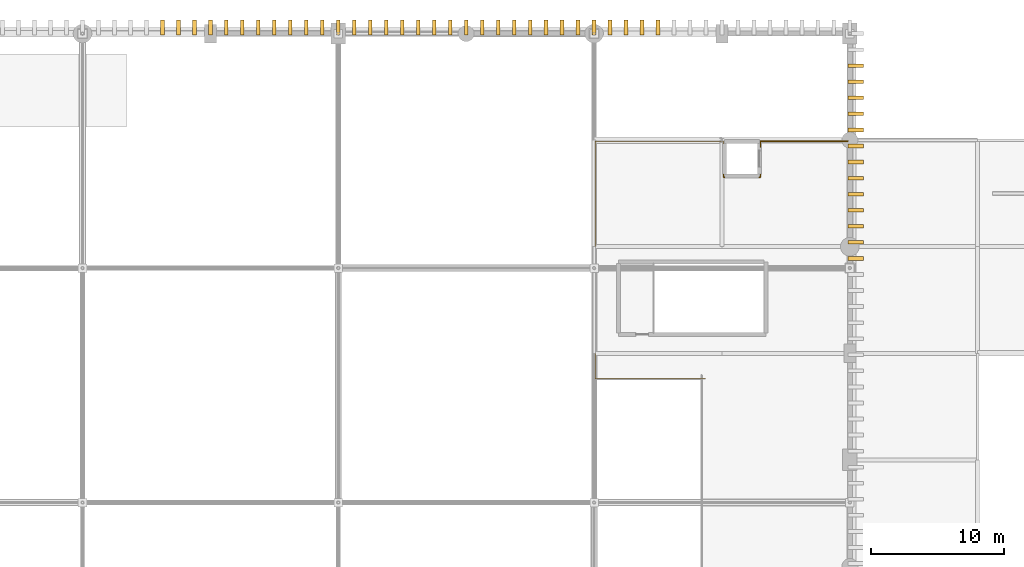
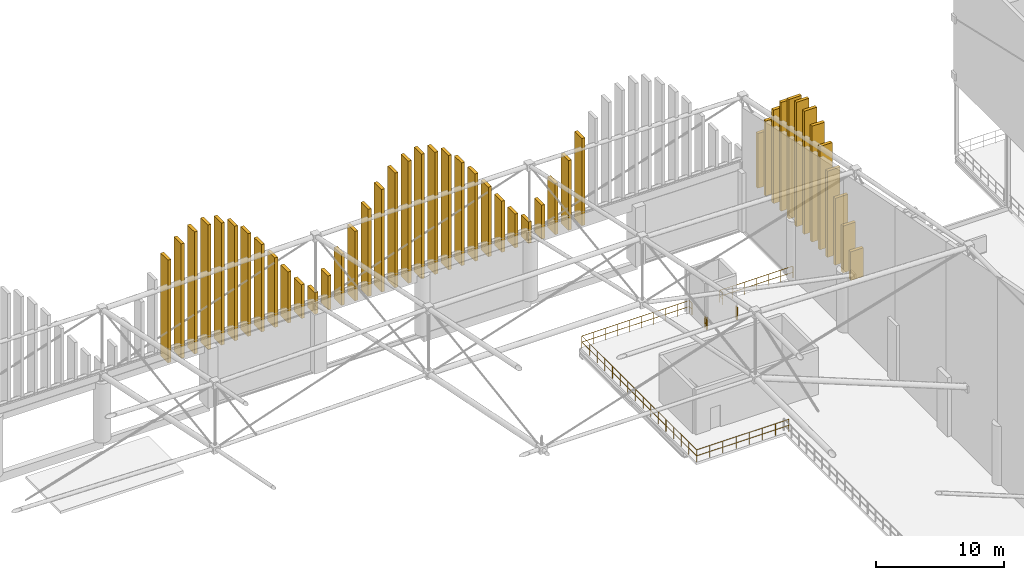
# One storey, part 192 of 193: 45 coverings, 4 railings.
"""IFC4 building model written with IfcOpenShell, lengths in metres."""

from ifc_helpers import new_model, si_unit, direction, frame, origin, origin_2d, place, context, subcontext, project, spatial, rectangle, circle, extrude, material, layer, layer_set, type_object, element, save


model = new_model("IFC4")

# Units and contexts
model_context = context("Model", 3, precision=1e-05, world=origin(), true_north=direction((0.0, 1.0)))
body_context = subcontext(model_context, "Body", "Model", "MODEL_VIEW")
ifc_project = project(units=[si_unit("LENGTHUNIT", "METRE"), si_unit("AREAUNIT", "SQUARE_METRE"), si_unit("VOLUMEUNIT", "CUBIC_METRE"), si_unit("PLANEANGLEUNIT", "RADIAN"), si_unit("MASSUNIT", "GRAM", prefix="KILO")], contexts=[model_context])

# Site, building, storey
site_placement = place(None, origin())
site = spatial("IfcSite", under=ifc_project, at=site_placement, CompositionType="ELEMENT")
building_placement = place(site_placement, origin())
building = spatial("IfcBuilding", under=site, at=building_placement, Name="Danafjord Basin Convention Centre", CompositionType="ELEMENT")
storey_placement = place(building_placement, frame((0.0, 0.0, 11.39990234375)))
storey = spatial("IfcBuildingStorey", under=building, at=storey_placement, Name="L02", CompositionType="ELEMENT", Elevation=11.39990234375)

# Coverings
ifc_material_1 = material(Name="Architectural white precast concrete C45/55", Category="concrete")
ifc_layer = layer(ifc_material_1, 0.280029296875)
ifc_layer_set = layer_set([ifc_layer], Name="Architectural white precast concrete C45/55")
covering_type = type_object("IfcCoveringType", Name="COV-FIN-RIDGE", PredefinedType="CLADDING", material=ifc_layer_set)
covering_1_placement = place(storey_placement, frame((63.60009765625, 144.449951171875, 5.14990234375), z_axis=(0.0, 0.0, 1.0), x_axis=(0.0, 1.0, 0.0)))
element("IfcCovering", 1, at=covering_1_placement, inside=storey, type_object=covering_type, Name="V1 N white vertical mountain-ridge fin 151", PredefinedType="CLADDING", context=body_context, shape_type="SweptSolid", body=[
    extrude(rectangle(XDim=1.139892578125, YDim=0.280029296875, at=origin_2d()), origin(), (0.0, 0.0, 1.0), 9.759521484375),
])
covering_2_placement = place(storey_placement, frame((64.800048828125, 144.449951171875, 5.150146484375), z_axis=(0.0, 0.0, 1.0), x_axis=(0.0, 1.0, 0.0)))
element("IfcCovering", 2, at=covering_2_placement, inside=storey, type_object=covering_type, Name="V1 N white vertical mountain-ridge fin 152", PredefinedType="CLADDING", context=body_context, shape_type="SweptSolid", body=[
    extrude(rectangle(XDim=1.139892578125, YDim=0.280029296875, at=origin_2d()), origin(), (0.0, 0.0, 1.0), 10.8916015625),
])
covering_3_placement = place(storey_placement, frame((66.0, 144.449951171875, 5.14990234375), z_axis=(0.0, 0.0, 1.0), x_axis=(0.0, 1.0, 0.0)))
element("IfcCovering", 3, at=covering_3_placement, inside=storey, type_object=covering_type, Name="V1 N white vertical mountain-ridge fin 153", PredefinedType="CLADDING", context=body_context, shape_type="SweptSolid", body=[
    extrude(rectangle(XDim=1.139892578125, YDim=0.280029296875, at=origin_2d()), origin(), (0.0, 0.0, 1.0), 11.60595703125),
])
covering_4_placement = place(storey_placement, frame((67.199951171875, 144.449951171875, 5.150146484375), z_axis=(0.0, 0.0, 1.0), x_axis=(0.0, 1.0, 0.0)))
element("IfcCovering", 4, at=covering_4_placement, inside=storey, type_object=covering_type, Name="V1 N white vertical mountain-ridge fin 154", PredefinedType="CLADDING", context=body_context, shape_type="SweptSolid", body=[
    extrude(rectangle(XDim=1.139892578125, YDim=0.280029296875, at=origin_2d()), origin(), (0.0, 0.0, 1.0), 11.85009765625),
])
covering_5_placement = place(storey_placement, frame((68.39990234375, 144.449951171875, 5.14990234375), z_axis=(0.0, 0.0, 1.0), x_axis=(0.0, 1.0, 0.0)))
element("IfcCovering", 5, at=covering_5_placement, inside=storey, type_object=covering_type, Name="V1 N white vertical mountain-ridge fin 155", PredefinedType="CLADDING", context=body_context, shape_type="SweptSolid", body=[
    extrude(rectangle(XDim=1.139892578125, YDim=0.280029296875, at=origin_2d()), origin(), (0.0, 0.0, 1.0), 11.60595703125),
])
covering_6_placement = place(storey_placement, frame((69.60009765625, 144.449951171875, 5.150146484375), z_axis=(0.0, 0.0, 1.0), x_axis=(0.0, 1.0, 0.0)))
element("IfcCovering", 6, at=covering_6_placement, inside=storey, type_object=covering_type, Name="V1 N white vertical mountain-ridge fin 156", PredefinedType="CLADDING", context=body_context, shape_type="SweptSolid", body=[
    extrude(rectangle(XDim=1.139892578125, YDim=0.280029296875, at=origin_2d()), origin(), (0.0, 0.0, 1.0), 10.8916015625),
])
covering_7_placement = place(storey_placement, frame((70.800048828125, 144.449951171875, 5.14990234375), z_axis=(0.0, 0.0, 1.0), x_axis=(0.0, 1.0, 0.0)))
element("IfcCovering", 7, at=covering_7_placement, inside=storey, type_object=covering_type, Name="V1 N white vertical mountain-ridge fin 157", PredefinedType="CLADDING", context=body_context, shape_type="SweptSolid", body=[
    extrude(rectangle(XDim=1.139892578125, YDim=0.280029296875, at=origin_2d()), origin(), (0.0, 0.0, 1.0), 9.759521484375),
])
covering_8_placement = place(storey_placement, frame((72.0, 144.449951171875, 5.150146484375), z_axis=(0.0, 0.0, 1.0), x_axis=(0.0, 1.0, 0.0)))
element("IfcCovering", 8, at=covering_8_placement, inside=storey, type_object=covering_type, Name="V1 N white vertical mountain-ridge fin 158", PredefinedType="CLADDING", context=body_context, shape_type="SweptSolid", body=[
    extrude(rectangle(XDim=1.139892578125, YDim=0.280029296875, at=origin_2d()), origin(), (0.0, 0.0, 1.0), 8.29541015625),
])
covering_9_placement = place(storey_placement, frame((73.199951171875, 144.449951171875, 5.14990234375), z_axis=(0.0, 0.0, 1.0), x_axis=(0.0, 1.0, 0.0)))
element("IfcCovering", 9, at=covering_9_placement, inside=storey, type_object=covering_type, Name="V1 N white vertical mountain-ridge fin 159", PredefinedType="CLADDING", context=body_context, shape_type="SweptSolid", body=[
    extrude(rectangle(XDim=1.139892578125, YDim=0.280029296875, at=origin_2d()), origin(), (0.0, 0.0, 1.0), 6.614501953125),
])
covering_10_placement = place(storey_placement, frame((74.39990234375, 144.449951171875, 5.150146484375), z_axis=(0.0, 0.0, 1.0), x_axis=(0.0, 1.0, 0.0)))
element("IfcCovering", 10, at=covering_10_placement, inside=storey, type_object=covering_type, Name="V1 N white vertical mountain-ridge fin 160", PredefinedType="CLADDING", context=body_context, shape_type="SweptSolid", body=[
    extrude(rectangle(XDim=1.139892578125, YDim=0.280029296875, at=origin_2d()), origin(), (0.0, 0.0, 1.0), 4.861328125),
])
covering_11_placement = place(storey_placement, frame((75.60009765625, 144.449951171875, 5.14990234375), z_axis=(0.0, 0.0, 1.0), x_axis=(0.0, 1.0, 0.0)))
element("IfcCovering", 11, at=covering_11_placement, inside=storey, type_object=covering_type, Name="V1 N white vertical mountain-ridge fin 161", PredefinedType="CLADDING", context=body_context, shape_type="SweptSolid", body=[
    extrude(rectangle(XDim=1.139892578125, YDim=0.280029296875, at=origin_2d()), origin(), (0.0, 0.0, 1.0), 3.220947265625),
])
covering_12_placement = place(storey_placement, frame((76.800048828125, 144.449951171875, 5.14990234375), z_axis=(0.0, 0.0, 1.0), x_axis=(0.0, 1.0, 0.0)))
element("IfcCovering", 12, at=covering_12_placement, inside=storey, type_object=covering_type, Name="V1 N white vertical mountain-ridge fin 162", PredefinedType="CLADDING", context=body_context, shape_type="SweptSolid", body=[
    extrude(rectangle(XDim=1.139892578125, YDim=0.280029296875, at=origin_2d()), origin(), (0.0, 0.0, 1.0), 2.050048828125),
])
covering_13_placement = place(storey_placement, frame((78.0, 144.449951171875, 5.14990234375), z_axis=(0.0, 0.0, 1.0), x_axis=(0.0, 1.0, 0.0)))
element("IfcCovering", 13, at=covering_13_placement, inside=storey, type_object=covering_type, Name="V1 N white vertical mountain-ridge fin 163", PredefinedType="CLADDING", context=body_context, shape_type="SweptSolid", body=[
    extrude(rectangle(XDim=1.139892578125, YDim=0.280029296875, at=origin_2d()), origin(), (0.0, 0.0, 1.0), 3.220947265625),
])
covering_14_placement = place(storey_placement, frame((79.199951171875, 144.449951171875, 5.150146484375), z_axis=(0.0, 0.0, 1.0), x_axis=(0.0, 1.0, 0.0)))
element("IfcCovering", 14, at=covering_14_placement, inside=storey, type_object=covering_type, Name="V1 N white vertical mountain-ridge fin 164", PredefinedType="CLADDING", context=body_context, shape_type="SweptSolid", body=[
    extrude(rectangle(XDim=1.139892578125, YDim=0.280029296875, at=origin_2d()), origin(), (0.0, 0.0, 1.0), 4.861328125),
])
covering_15_placement = place(storey_placement, frame((80.39990234375, 144.449951171875, 5.14990234375), z_axis=(0.0, 0.0, 1.0), x_axis=(0.0, 1.0, 0.0)))
element("IfcCovering", 15, at=covering_15_placement, inside=storey, type_object=covering_type, Name="V1 N white vertical mountain-ridge fin 165", PredefinedType="CLADDING", context=body_context, shape_type="SweptSolid", body=[
    extrude(rectangle(XDim=1.139892578125, YDim=0.280029296875, at=origin_2d()), origin(), (0.0, 0.0, 1.0), 6.614501953125),
])
covering_16_placement = place(storey_placement, frame((81.60009765625, 144.449951171875, 5.150146484375), z_axis=(0.0, 0.0, 1.0), x_axis=(0.0, 1.0, 0.0)))
element("IfcCovering", 16, at=covering_16_placement, inside=storey, type_object=covering_type, Name="V1 N white vertical mountain-ridge fin 166", PredefinedType="CLADDING", context=body_context, shape_type="SweptSolid", body=[
    extrude(rectangle(XDim=1.139892578125, YDim=0.280029296875, at=origin_2d()), origin(), (0.0, 0.0, 1.0), 8.29541015625),
])
covering_17_placement = place(storey_placement, frame((82.800048828125, 144.449951171875, 5.14990234375), z_axis=(0.0, 0.0, 1.0), x_axis=(0.0, 1.0, 0.0)))
element("IfcCovering", 17, at=covering_17_placement, inside=storey, type_object=covering_type, Name="V1 N white vertical mountain-ridge fin 167", PredefinedType="CLADDING", context=body_context, shape_type="SweptSolid", body=[
    extrude(rectangle(XDim=1.139892578125, YDim=0.280029296875, at=origin_2d()), origin(), (0.0, 0.0, 1.0), 9.759521484375),
])
covering_18_placement = place(storey_placement, frame((84.0, 144.449951171875, 5.150146484375), z_axis=(0.0, 0.0, 1.0), x_axis=(0.0, 1.0, 0.0)))
element("IfcCovering", 18, at=covering_18_placement, inside=storey, type_object=covering_type, Name="V1 N white vertical mountain-ridge fin 168", PredefinedType="CLADDING", context=body_context, shape_type="SweptSolid", body=[
    extrude(rectangle(XDim=1.139892578125, YDim=0.280029296875, at=origin_2d()), origin(), (0.0, 0.0, 1.0), 10.8916015625),
])
covering_19_placement = place(storey_placement, frame((85.199951171875, 144.449951171875, 5.14990234375), z_axis=(0.0, 0.0, 1.0), x_axis=(0.0, 1.0, 0.0)))
element("IfcCovering", 19, at=covering_19_placement, inside=storey, type_object=covering_type, Name="V1 N white vertical mountain-ridge fin 169", PredefinedType="CLADDING", context=body_context, shape_type="SweptSolid", body=[
    extrude(rectangle(XDim=1.139892578125, YDim=0.280029296875, at=origin_2d()), origin(), (0.0, 0.0, 1.0), 11.60595703125),
])
covering_20_placement = place(storey_placement, frame((86.39990234375, 144.449951171875, 5.150146484375), z_axis=(0.0, 0.0, 1.0), x_axis=(0.0, 1.0, 0.0)))
element("IfcCovering", 20, at=covering_20_placement, inside=storey, type_object=covering_type, Name="V1 N white vertical mountain-ridge fin 170", PredefinedType="CLADDING", context=body_context, shape_type="SweptSolid", body=[
    extrude(rectangle(XDim=1.139892578125, YDim=0.280029296875, at=origin_2d()), origin(), (0.0, 0.0, 1.0), 11.85009765625),
])
covering_21_placement = place(storey_placement, frame((87.60009765625, 144.449951171875, 5.14990234375), z_axis=(0.0, 0.0, 1.0), x_axis=(0.0, 1.0, 0.0)))
element("IfcCovering", 21, at=covering_21_placement, inside=storey, type_object=covering_type, Name="V1 N white vertical mountain-ridge fin 171", PredefinedType="CLADDING", context=body_context, shape_type="SweptSolid", body=[
    extrude(rectangle(XDim=1.139892578125, YDim=0.280029296875, at=origin_2d()), origin(), (0.0, 0.0, 1.0), 11.60595703125),
])
covering_22_placement = place(storey_placement, frame((88.800048828125, 144.449951171875, 5.150146484375), z_axis=(0.0, 0.0, 1.0), x_axis=(0.0, 1.0, 0.0)))
element("IfcCovering", 22, at=covering_22_placement, inside=storey, type_object=covering_type, Name="V1 N white vertical mountain-ridge fin 172", PredefinedType="CLADDING", context=body_context, shape_type="SweptSolid", body=[
    extrude(rectangle(XDim=1.139892578125, YDim=0.280029296875, at=origin_2d()), origin(), (0.0, 0.0, 1.0), 10.8916015625),
])
covering_23_placement = place(storey_placement, frame((90.0, 144.449951171875, 5.14990234375), z_axis=(0.0, 0.0, 1.0), x_axis=(0.0, 1.0, 0.0)))
element("IfcCovering", 23, at=covering_23_placement, inside=storey, type_object=covering_type, Name="V1 N white vertical mountain-ridge fin 173", PredefinedType="CLADDING", context=body_context, shape_type="SweptSolid", body=[
    extrude(rectangle(XDim=1.139892578125, YDim=0.280029296875, at=origin_2d()), origin(), (0.0, 0.0, 1.0), 9.759521484375),
])
covering_24_placement = place(storey_placement, frame((91.199951171875, 144.449951171875, 5.150146484375), z_axis=(0.0, 0.0, 1.0), x_axis=(0.0, 1.0, 0.0)))
element("IfcCovering", 24, at=covering_24_placement, inside=storey, type_object=covering_type, Name="V1 N white vertical mountain-ridge fin 174", PredefinedType="CLADDING", context=body_context, shape_type="SweptSolid", body=[
    extrude(rectangle(XDim=1.139892578125, YDim=0.280029296875, at=origin_2d()), origin(), (0.0, 0.0, 1.0), 8.29541015625),
])
covering_25_placement = place(storey_placement, frame((92.39990234375, 144.449951171875, 5.14990234375), z_axis=(0.0, 0.0, 1.0), x_axis=(0.0, 1.0, 0.0)))
element("IfcCovering", 25, at=covering_25_placement, inside=storey, type_object=covering_type, Name="V1 N white vertical mountain-ridge fin 175", PredefinedType="CLADDING", context=body_context, shape_type="SweptSolid", body=[
    extrude(rectangle(XDim=1.139892578125, YDim=0.280029296875, at=origin_2d()), origin(), (0.0, 0.0, 1.0), 6.614501953125),
])
covering_26_placement = place(storey_placement, frame((93.60009765625, 144.449951171875, 5.150146484375), z_axis=(0.0, 0.0, 1.0), x_axis=(0.0, 1.0, 0.0)))
element("IfcCovering", 26, at=covering_26_placement, inside=storey, type_object=covering_type, Name="V1 N white vertical mountain-ridge fin 176", PredefinedType="CLADDING", context=body_context, shape_type="SweptSolid", body=[
    extrude(rectangle(XDim=1.139892578125, YDim=0.280029296875, at=origin_2d()), origin(), (0.0, 0.0, 1.0), 4.861328125),
])
covering_27_placement = place(storey_placement, frame((94.800048828125, 144.449951171875, 5.14990234375), z_axis=(0.0, 0.0, 1.0), x_axis=(0.0, 1.0, 0.0)))
element("IfcCovering", 27, at=covering_27_placement, inside=storey, type_object=covering_type, Name="V1 N white vertical mountain-ridge fin 177", PredefinedType="CLADDING", context=body_context, shape_type="SweptSolid", body=[
    extrude(rectangle(XDim=1.139892578125, YDim=0.280029296875, at=origin_2d()), origin(), (0.0, 0.0, 1.0), 3.220947265625),
])
covering_28_placement = place(storey_placement, frame((96.0, 144.449951171875, 5.14990234375), z_axis=(0.0, 0.0, 1.0), x_axis=(0.0, 1.0, 0.0)))
element("IfcCovering", 28, at=covering_28_placement, inside=storey, type_object=covering_type, Name="V1 N white vertical mountain-ridge fin 178", PredefinedType="CLADDING", context=body_context, shape_type="SweptSolid", body=[
    extrude(rectangle(XDim=1.139892578125, YDim=0.280029296875, at=origin_2d()), origin(), (0.0, 0.0, 1.0), 2.050048828125),
])
covering_29_placement = place(storey_placement, frame((97.199951171875, 144.449951171875, 5.14990234375), z_axis=(0.0, 0.0, 1.0), x_axis=(0.0, 1.0, 0.0)))
element("IfcCovering", 29, at=covering_29_placement, inside=storey, type_object=covering_type, Name="V1 N white vertical mountain-ridge fin 179", PredefinedType="CLADDING", context=body_context, shape_type="SweptSolid", body=[
    extrude(rectangle(XDim=1.139892578125, YDim=0.280029296875, at=origin_2d()), origin(), (0.0, 0.0, 1.0), 3.220947265625),
])
covering_30_placement = place(storey_placement, frame((98.39990234375, 144.449951171875, 5.150146484375), z_axis=(0.0, 0.0, 1.0), x_axis=(0.0, 1.0, 0.0)))
element("IfcCovering", 30, at=covering_30_placement, inside=storey, type_object=covering_type, Name="V1 N white vertical mountain-ridge fin 180", PredefinedType="CLADDING", context=body_context, shape_type="SweptSolid", body=[
    extrude(rectangle(XDim=1.139892578125, YDim=0.280029296875, at=origin_2d()), origin(), (0.0, 0.0, 1.0), 4.861328125),
])
covering_31_placement = place(storey_placement, frame((99.60009765625, 144.449951171875, 5.14990234375), z_axis=(0.0, 0.0, 1.0), x_axis=(0.0, 1.0, 0.0)))
element("IfcCovering", 31, at=covering_31_placement, inside=storey, type_object=covering_type, Name="V1 N white vertical mountain-ridge fin 181", PredefinedType="CLADDING", context=body_context, shape_type="SweptSolid", body=[
    extrude(rectangle(XDim=1.139892578125, YDim=0.280029296875, at=origin_2d()), origin(), (0.0, 0.0, 1.0), 6.614501953125),
])
covering_32_placement = place(storey_placement, frame((100.800048828125, 144.449951171875, 5.150146484375), z_axis=(0.0, 0.0, 1.0), x_axis=(0.0, 1.0, 0.0)))
element("IfcCovering", 32, at=covering_32_placement, inside=storey, type_object=covering_type, Name="V1 N white vertical mountain-ridge fin 182", PredefinedType="CLADDING", context=body_context, shape_type="SweptSolid", body=[
    extrude(rectangle(XDim=1.139892578125, YDim=0.280029296875, at=origin_2d()), origin(), (0.0, 0.0, 1.0), 8.29541015625),
])
covering_33_placement = place(storey_placement, frame((115.64990234375, 127.123291015625, 5.14990234375), z_axis=(0.0, 0.0, 1.0), x_axis=(1.0, 0.0, 0.0)))
element("IfcCovering", 33, at=covering_33_placement, inside=storey, type_object=covering_type, Name="V1 E white vertical mountain-ridge fin 328", PredefinedType="CLADDING", context=body_context, shape_type="SweptSolid", body=[
    extrude(rectangle(XDim=1.139892578125, YDim=0.280029296875, at=origin_2d()), origin(), (0.0, 0.0, 1.0), 2.732177734375),
])
covering_34_placement = place(storey_placement, frame((115.64990234375, 128.328857421875, 5.150146484375), z_axis=(0.0, 0.0, 1.0), x_axis=(1.0, 0.0, 0.0)))
element("IfcCovering", 34, at=covering_34_placement, inside=storey, type_object=covering_type, Name="V1 E white vertical mountain-ridge fin 329", PredefinedType="CLADDING", context=body_context, shape_type="SweptSolid", body=[
    extrude(rectangle(XDim=1.139892578125, YDim=0.280029296875, at=origin_2d()), origin(), (0.0, 0.0, 1.0), 4.43798828125),
])
covering_35_placement = place(storey_placement, frame((115.64990234375, 129.5341796875, 5.150390625), z_axis=(0.0, 0.0, 1.0), x_axis=(1.0, 0.0, 0.0)))
element("IfcCovering", 35, at=covering_35_placement, inside=storey, type_object=covering_type, Name="V1 E white vertical mountain-ridge fin 330", PredefinedType="CLADDING", context=body_context, shape_type="SweptSolid", body=[
    extrude(rectangle(XDim=1.139892578125, YDim=0.280029296875, at=origin_2d()), origin(), (0.0, 0.0, 1.0), 6.350830078125),
])
covering_36_placement = place(storey_placement, frame((115.64990234375, 130.73974609375, 5.150146484375), z_axis=(0.0, 0.0, 1.0), x_axis=(1.0, 0.0, 0.0)))
element("IfcCovering", 36, at=covering_36_placement, inside=storey, type_object=covering_type, Name="V1 E white vertical mountain-ridge fin 331", PredefinedType="CLADDING", context=body_context, shape_type="SweptSolid", body=[
    extrude(rectangle(XDim=1.139892578125, YDim=0.280029296875, at=origin_2d()), origin(), (0.0, 0.0, 1.0), 8.20751953125),
])
covering_37_placement = place(storey_placement, frame((115.64990234375, 131.9453125, 5.14990234375), z_axis=(0.0, 0.0, 1.0), x_axis=(1.0, 0.0, 0.0)))
element("IfcCovering", 37, at=covering_37_placement, inside=storey, type_object=covering_type, Name="V1 E white vertical mountain-ridge fin 332", PredefinedType="CLADDING", context=body_context, shape_type="SweptSolid", body=[
    extrude(rectangle(XDim=1.139892578125, YDim=0.280029296875, at=origin_2d()), origin(), (0.0, 0.0, 1.0), 9.813232421875),
])
covering_38_placement = place(storey_placement, frame((115.64990234375, 133.150634765625, 5.150146484375), z_axis=(0.0, 0.0, 1.0), x_axis=(1.0, 0.0, 0.0)))
element("IfcCovering", 38, at=covering_38_placement, inside=storey, type_object=covering_type, Name="V1 E white vertical mountain-ridge fin 333", PredefinedType="CLADDING", context=body_context, shape_type="SweptSolid", body=[
    extrude(rectangle(XDim=1.139892578125, YDim=0.280029296875, at=origin_2d()), origin(), (0.0, 0.0, 1.0), 11.015625),
])
covering_39_placement = place(storey_placement, frame((115.64990234375, 134.356201171875, 5.150146484375), z_axis=(0.0, 0.0, 1.0), x_axis=(1.0, 0.0, 0.0)))
element("IfcCovering", 39, at=covering_39_placement, inside=storey, type_object=covering_type, Name="V1 E white vertical mountain-ridge fin 334", PredefinedType="CLADDING", context=body_context, shape_type="SweptSolid", body=[
    extrude(rectangle(XDim=1.139892578125, YDim=0.280029296875, at=origin_2d()), origin(), (0.0, 0.0, 1.0), 11.7060546875),
])
covering_40_placement = place(storey_placement, frame((115.64990234375, 135.5615234375, 5.150390625), z_axis=(0.0, 0.0, 1.0), x_axis=(1.0, 0.0, 0.0)))
element("IfcCovering", 40, at=covering_40_placement, inside=storey, type_object=covering_type, Name="V1 E white vertical mountain-ridge fin 335", PredefinedType="CLADDING", context=body_context, shape_type="SweptSolid", body=[
    extrude(rectangle(XDim=1.139892578125, YDim=0.280029296875, at=origin_2d()), origin(), (0.0, 0.0, 1.0), 11.823486328125),
])
covering_41_placement = place(storey_placement, frame((115.64990234375, 136.76708984375, 5.150390625), z_axis=(0.0, 0.0, 1.0), x_axis=(1.0, 0.0, 0.0)))
element("IfcCovering", 41, at=covering_41_placement, inside=storey, type_object=covering_type, Name="V1 E white vertical mountain-ridge fin 336", PredefinedType="CLADDING", context=body_context, shape_type="SweptSolid", body=[
    extrude(rectangle(XDim=1.139892578125, YDim=0.280029296875, at=origin_2d()), origin(), (0.0, 0.0, 1.0), 11.357666015625),
])
covering_42_placement = place(storey_placement, frame((115.64990234375, 137.97265625, 5.150146484375), z_axis=(0.0, 0.0, 1.0), x_axis=(1.0, 0.0, 0.0)))
element("IfcCovering", 42, at=covering_42_placement, inside=storey, type_object=covering_type, Name="V1 E white vertical mountain-ridge fin 337", PredefinedType="CLADDING", context=body_context, shape_type="SweptSolid", body=[
    extrude(rectangle(XDim=1.139892578125, YDim=0.280029296875, at=origin_2d()), origin(), (0.0, 0.0, 1.0), 10.349609375),
])
covering_43_placement = place(storey_placement, frame((115.64990234375, 139.177978515625, 5.14990234375), z_axis=(0.0, 0.0, 1.0), x_axis=(1.0, 0.0, 0.0)))
element("IfcCovering", 43, at=covering_43_placement, inside=storey, type_object=covering_type, Name="V1 E white vertical mountain-ridge fin 338", PredefinedType="CLADDING", context=body_context, shape_type="SweptSolid", body=[
    extrude(rectangle(XDim=1.139892578125, YDim=0.280029296875, at=origin_2d()), origin(), (0.0, 0.0, 1.0), 8.889404296875),
])
covering_44_placement = place(storey_placement, frame((115.64990234375, 140.383544921875, 5.150146484375), z_axis=(0.0, 0.0, 1.0), x_axis=(1.0, 0.0, 0.0)))
element("IfcCovering", 44, at=covering_44_placement, inside=storey, type_object=covering_type, Name="V1 E white vertical mountain-ridge fin 339", PredefinedType="CLADDING", context=body_context, shape_type="SweptSolid", body=[
    extrude(rectangle(XDim=1.139892578125, YDim=0.280029296875, at=origin_2d()), origin(), (0.0, 0.0, 1.0), 7.1123046875),
])
covering_45_placement = place(storey_placement, frame((115.64990234375, 141.589111328125, 5.150146484375), z_axis=(0.0, 0.0, 1.0), x_axis=(1.0, 0.0, 0.0)))
element("IfcCovering", 45, at=covering_45_placement, inside=storey, type_object=covering_type, Name="V1 E white vertical mountain-ridge fin 340", PredefinedType="CLADDING", context=body_context, shape_type="SweptSolid", body=[
    extrude(rectangle(XDim=1.139892578125, YDim=0.280029296875, at=origin_2d()), origin(), (0.0, 0.0, 1.0), 5.1953125),
])

# Railings
ifc_material_2 = material(Name="Laminated structural glass and stainless steel", Category="steel")
railing_type_1 = type_object("IfcRailingType", Name="RL-BAL-GLS", PredefinedType="BALUSTRADE", material=ifc_material_2)
railing_1_placement = place(storey_placement, frame((105.719970703125, 133.43505859375, 0.0)))
element("IfcRailing", 46, at=railing_1_placement, inside=storey, type_object=railing_type_1, Name="L02 safety guard balustrade 166", PredefinedType="BALUSTRADE", context=body_context, shape_type="SweptSolid", body=[
    extrude(circle(Radius=0.02392578125, at=origin_2d()), frame((0.0, 0.0, 1.1259765625), z_axis=(0.0, -1.0, 0.0), x_axis=(1.0, 0.0, 0.0)), (0.0, 0.0, 1.0), 0.215087890625),
    extrude(circle(Radius=0.02392578125, at=origin_2d()), frame((0.0, 0.0, 0.55078125), z_axis=(0.0, -1.0, 0.0), x_axis=(1.0, 0.0, 0.0)), (0.0, 0.0, 1.0), 0.215087890625),
    extrude(circle(Radius=0.02392578125, at=origin_2d()), frame((0.0, -0.215087890625, 1.1259765625), z_axis=(1.0, 0.0, 0.0), x_axis=(0.0, 1.0, 0.0)), (0.0, 0.0, 1.0), 0.080078125),
    extrude(circle(Radius=0.02392578125, at=origin_2d()), frame((0.0, -0.215087890625, 0.55078125), z_axis=(1.0, 0.0, 0.0), x_axis=(0.0, 1.0, 0.0)), (0.0, 0.0, 1.0), 0.080078125),
    extrude(circle(Radius=0.02099609375, at=origin_2d()), origin(), (0.0, 0.0, 1.0), 1.099853515625),
    extrude(circle(Radius=0.02099609375, at=origin_2d()), frame((0.0, -0.215087890625, 0.0)), (0.0, 0.0, 1.0), 1.099853515625),
    extrude(circle(Radius=0.02099609375, at=origin_2d()), frame((0.080078125, -0.215087890625, 0.0)), (0.0, 0.0, 1.0), 1.099853515625),
])
railing_2_placement = place(storey_placement, frame((108.47998046875, 135.485107421875, 0.0)))
element("IfcRailing", 47, at=railing_2_placement, inside=storey, type_object=railing_type_1, Name="L02 safety guard balustrade 168", PredefinedType="BALUSTRADE", context=body_context, shape_type="SweptSolid", body=[
    extrude(circle(Radius=0.02392578125, at=origin_2d()), frame((0.0, 0.0, 1.1259765625), z_axis=(0.0, 1.0, 0.0), x_axis=(-1.0, 0.0, 0.0)), (0.0, 0.0, 1.0), 0.434814453125),
    extrude(circle(Radius=0.02392578125, at=origin_2d()), frame((0.0, 0.0, 0.55078125), z_axis=(0.0, 1.0, 0.0), x_axis=(-1.0, 0.0, 0.0)), (0.0, 0.0, 1.0), 0.434814453125),
    extrude(circle(Radius=0.02392578125, at=origin_2d()), frame((0.0, 0.434814453125, 1.1259765625), z_axis=(1.0, 0.0, 0.0), x_axis=(0.0, 1.0, 0.0)), (0.0, 0.0, 1.0), 6.570068359375),
    extrude(circle(Radius=0.02392578125, at=origin_2d()), frame((0.0, 0.434814453125, 0.55078125), z_axis=(1.0, 0.0, 0.0), x_axis=(0.0, 1.0, 0.0)), (0.0, 0.0, 1.0), 6.570068359375),
    extrude(circle(Radius=0.02099609375, at=origin_2d()), origin(), (0.0, 0.0, 1.0), 1.099853515625),
    extrude(circle(Radius=0.02099609375, at=origin_2d()), frame((0.0, 0.434814453125, 0.0)), (0.0, 0.0, 1.0), 1.099853515625),
    extrude(circle(Radius=0.02099609375, at=origin_2d()), frame((1.094970703125, 0.434814453125, 0.0)), (0.0, 0.0, 1.0), 1.099853515625),
    extrude(circle(Radius=0.02099609375, at=origin_2d()), frame((2.18994140625, 0.434814453125, 0.0)), (0.0, 0.0, 1.0), 1.099853515625),
    extrude(circle(Radius=0.02099609375, at=origin_2d()), frame((3.28515625, 0.434814453125, 0.0)), (0.0, 0.0, 1.0), 1.099853515625),
    extrude(circle(Radius=0.02099609375, at=origin_2d()), frame((4.380126953125, 0.434814453125, 0.0)), (0.0, 0.0, 1.0), 1.099853515625),
    extrude(circle(Radius=0.02099609375, at=origin_2d()), frame((5.47509765625, 0.434814453125, 0.0)), (0.0, 0.0, 1.0), 1.099853515625),
    extrude(circle(Radius=0.02099609375, at=origin_2d()), frame((6.570068359375, 0.434814453125, 0.0)), (0.0, 0.0, 1.0), 1.099853515625),
])
ifc_material_3 = material(Name="Galvanised and powder-coated steel S355", Category="steel")
railing_type_2 = type_object("IfcRailingType", Name="RL-BAL-STL", PredefinedType="BALUSTRADE", material=ifc_material_3)
railing_3_placement = place(storey_placement, frame((104.360107421875, 118.080078125, 0.0)))
element("IfcRailing", 48, at=railing_3_placement, inside=storey, type_object=railing_type_2, Name="L02 safety guard balustrade 165", PredefinedType="BALUSTRADE", context=body_context, shape_type="SweptSolid", body=[
    extrude(circle(Radius=0.02392578125, at=origin_2d()), frame((0.0, 0.0, 1.1259765625), z_axis=(-1.0, 0.0, 0.0), x_axis=(0.0, -1.0, 0.0)), (0.0, 0.0, 1.0), 8.280029296875),
    extrude(circle(Radius=0.02392578125, at=origin_2d()), frame((0.0, 0.0, 0.55078125), z_axis=(-1.0, 0.0, 0.0), x_axis=(0.0, -1.0, 0.0)), (0.0, 0.0, 1.0), 8.280029296875),
    extrude(circle(Radius=0.02392578125, at=origin_2d()), frame((-8.280029296875, 0.0, 1.1259765625), z_axis=(0.0, 1.0, 0.0), x_axis=(-1.0, 0.0, 0.0)), (0.0, 0.0, 1.0), 17.83984375),
    extrude(circle(Radius=0.02392578125, at=origin_2d()), frame((-8.280029296875, 0.0, 0.55078125), z_axis=(0.0, 1.0, 0.0), x_axis=(-1.0, 0.0, 0.0)), (0.0, 0.0, 1.0), 17.83984375),
    extrude(circle(Radius=0.02392578125, at=origin_2d()), frame((-8.280029296875, 17.83984375, 1.1259765625), z_axis=(1.0, 0.0, 0.0), x_axis=(0.0, 1.0, 0.0)), (0.0, 0.0, 1.0), 9.639892578125),
    extrude(circle(Radius=0.02392578125, at=origin_2d()), frame((-8.280029296875, 17.83984375, 0.55078125), z_axis=(1.0, 0.0, 0.0), x_axis=(0.0, 1.0, 0.0)), (0.0, 0.0, 1.0), 9.639892578125),
    extrude(circle(Radius=0.02392578125, at=origin_2d()), frame((1.35986328125, 17.83984375, 1.1259765625), z_axis=(0.0, -1.0, 0.0), x_axis=(1.0, 0.0, 0.0)), (0.0, 0.0, 1.0), 0.434814453125),
    extrude(circle(Radius=0.02392578125, at=origin_2d()), frame((1.35986328125, 17.83984375, 0.55078125), z_axis=(0.0, -1.0, 0.0), x_axis=(1.0, 0.0, 0.0)), (0.0, 0.0, 1.0), 0.434814453125),
    extrude(circle(Radius=0.02099609375, at=origin_2d()), origin(), (0.0, 0.0, 1.0), 1.099853515625),
    extrude(circle(Radius=0.02099609375, at=origin_2d()), frame((-1.182861328125, 0.0, 0.0)), (0.0, 0.0, 1.0), 1.099853515625),
    extrude(circle(Radius=0.02099609375, at=origin_2d()), frame((-2.36572265625, 0.0, 0.0)), (0.0, 0.0, 1.0), 1.099853515625),
    extrude(circle(Radius=0.02099609375, at=origin_2d()), frame((-3.548583984375, 0.0, 0.0)), (0.0, 0.0, 1.0), 1.099853515625),
    extrude(circle(Radius=0.02099609375, at=origin_2d()), frame((-4.7314453125, 0.0, 0.0)), (0.0, 0.0, 1.0), 1.099853515625),
    extrude(circle(Radius=0.02099609375, at=origin_2d()), frame((-5.914306640625, 0.0, 0.0)), (0.0, 0.0, 1.0), 1.099853515625),
    extrude(circle(Radius=0.02099609375, at=origin_2d()), frame((-7.09716796875, 0.0, 0.0)), (0.0, 0.0, 1.0), 1.099853515625),
    extrude(circle(Radius=0.02099609375, at=origin_2d()), frame((-8.280029296875, 0.0, 0.0)), (0.0, 0.0, 1.0), 1.099853515625),
    extrude(circle(Radius=0.02099609375, at=origin_2d()), frame((-8.280029296875, 1.189208984375, 0.0)), (0.0, 0.0, 1.0), 1.099853515625),
    extrude(circle(Radius=0.02099609375, at=origin_2d()), frame((-8.280029296875, 2.378662109375, 0.0)), (0.0, 0.0, 1.0), 1.099853515625),
    extrude(circle(Radius=0.02099609375, at=origin_2d()), frame((-8.280029296875, 3.56787109375, 0.0)), (0.0, 0.0, 1.0), 1.099853515625),
    extrude(circle(Radius=0.02099609375, at=origin_2d()), frame((-8.280029296875, 4.75732421875, 0.0)), (0.0, 0.0, 1.0), 1.099853515625),
    extrude(circle(Radius=0.02099609375, at=origin_2d()), frame((-8.280029296875, 5.946533203125, 0.0)), (0.0, 0.0, 1.0), 1.099853515625),
    extrude(circle(Radius=0.02099609375, at=origin_2d()), frame((-8.280029296875, 7.135986328125, 0.0)), (0.0, 0.0, 1.0), 1.099853515625),
    extrude(circle(Radius=0.02099609375, at=origin_2d()), frame((-8.280029296875, 8.3251953125, 0.0)), (0.0, 0.0, 1.0), 1.099853515625),
    extrude(circle(Radius=0.02099609375, at=origin_2d()), frame((-8.280029296875, 9.5146484375, 0.0)), (0.0, 0.0, 1.0), 1.099853515625),
    extrude(circle(Radius=0.02099609375, at=origin_2d()), frame((-8.280029296875, 10.703857421875, 0.0)), (0.0, 0.0, 1.0), 1.099853515625),
    extrude(circle(Radius=0.02099609375, at=origin_2d()), frame((-8.280029296875, 11.893310546875, 0.0)), (0.0, 0.0, 1.0), 1.099853515625),
    extrude(circle(Radius=0.02099609375, at=origin_2d()), frame((-8.280029296875, 13.08251953125, 0.0)), (0.0, 0.0, 1.0), 1.099853515625),
    extrude(circle(Radius=0.02099609375, at=origin_2d()), frame((-8.280029296875, 14.27197265625, 0.0)), (0.0, 0.0, 1.0), 1.099853515625),
    extrude(circle(Radius=0.02099609375, at=origin_2d()), frame((-8.280029296875, 15.461181640625, 0.0)), (0.0, 0.0, 1.0), 1.099853515625),
    extrude(circle(Radius=0.02099609375, at=origin_2d()), frame((-8.280029296875, 16.650634765625, 0.0)), (0.0, 0.0, 1.0), 1.099853515625),
    extrude(circle(Radius=0.02099609375, at=origin_2d()), frame((-8.280029296875, 17.83984375, 0.0)), (0.0, 0.0, 1.0), 1.099853515625),
    extrude(circle(Radius=0.02099609375, at=origin_2d()), frame((-7.208984375, 17.83984375, 0.0)), (0.0, 0.0, 1.0), 1.099853515625),
    extrude(circle(Radius=0.02099609375, at=origin_2d()), frame((-6.137939453125, 17.83984375, 0.0)), (0.0, 0.0, 1.0), 1.099853515625),
    extrude(circle(Radius=0.02099609375, at=origin_2d()), frame((-5.066650390625, 17.83984375, 0.0)), (0.0, 0.0, 1.0), 1.099853515625),
    extrude(circle(Radius=0.02099609375, at=origin_2d()), frame((-3.99560546875, 17.83984375, 0.0)), (0.0, 0.0, 1.0), 1.099853515625),
    extrude(circle(Radius=0.02099609375, at=origin_2d()), frame((-2.924560546875, 17.83984375, 0.0)), (0.0, 0.0, 1.0), 1.099853515625),
    extrude(circle(Radius=0.02099609375, at=origin_2d()), frame((-1.853515625, 17.83984375, 0.0)), (0.0, 0.0, 1.0), 1.099853515625),
    extrude(circle(Radius=0.02099609375, at=origin_2d()), frame((-0.7822265625, 17.83984375, 0.0)), (0.0, 0.0, 1.0), 1.099853515625),
    extrude(circle(Radius=0.02099609375, at=origin_2d()), frame((0.288818359375, 17.83984375, 0.0)), (0.0, 0.0, 1.0), 1.099853515625),
    extrude(circle(Radius=0.02099609375, at=origin_2d()), frame((1.35986328125, 17.83984375, 0.0)), (0.0, 0.0, 1.0), 1.099853515625),
    extrude(circle(Radius=0.02099609375, at=origin_2d()), frame((1.35986328125, 17.405029296875, 0.0)), (0.0, 0.0, 1.0), 1.099853515625),
])
railing_4_placement = place(storey_placement, frame((108.39990234375, 133.219970703125, 0.0)))
element("IfcRailing", 49, at=railing_4_placement, inside=storey, type_object=railing_type_2, Name="L02 safety guard balustrade 167", PredefinedType="BALUSTRADE", context=body_context, shape_type="SweptSolid", body=[
    extrude(circle(Radius=0.02392578125, at=origin_2d()), frame((0.0, 0.0, 1.1259765625), z_axis=(1.0, 0.0, 0.0), x_axis=(0.0, 1.0, 0.0)), (0.0, 0.0, 1.0), 0.080078125),
    extrude(circle(Radius=0.02392578125, at=origin_2d()), frame((0.0, 0.0, 0.55078125), z_axis=(1.0, 0.0, 0.0), x_axis=(0.0, 1.0, 0.0)), (0.0, 0.0, 1.0), 0.080078125),
    extrude(circle(Radius=0.02392578125, at=origin_2d()), frame((0.080078125, 0.0, 1.1259765625), z_axis=(0.0, 1.0, 0.0), x_axis=(-1.0, 0.0, 0.0)), (0.0, 0.0, 1.0), 0.215087890625),
    extrude(circle(Radius=0.02392578125, at=origin_2d()), frame((0.080078125, 0.0, 0.55078125), z_axis=(0.0, 1.0, 0.0), x_axis=(-1.0, 0.0, 0.0)), (0.0, 0.0, 1.0), 0.215087890625),
    extrude(circle(Radius=0.02099609375, at=origin_2d()), origin(), (0.0, 0.0, 1.0), 1.099853515625),
    extrude(circle(Radius=0.02099609375, at=origin_2d()), frame((0.080078125, 0.0, 0.0)), (0.0, 0.0, 1.0), 1.099853515625),
    extrude(circle(Radius=0.02099609375, at=origin_2d()), frame((0.080078125, 0.215087890625, 0.0)), (0.0, 0.0, 1.0), 1.099853515625),
])

save(model, "model.ifc")
